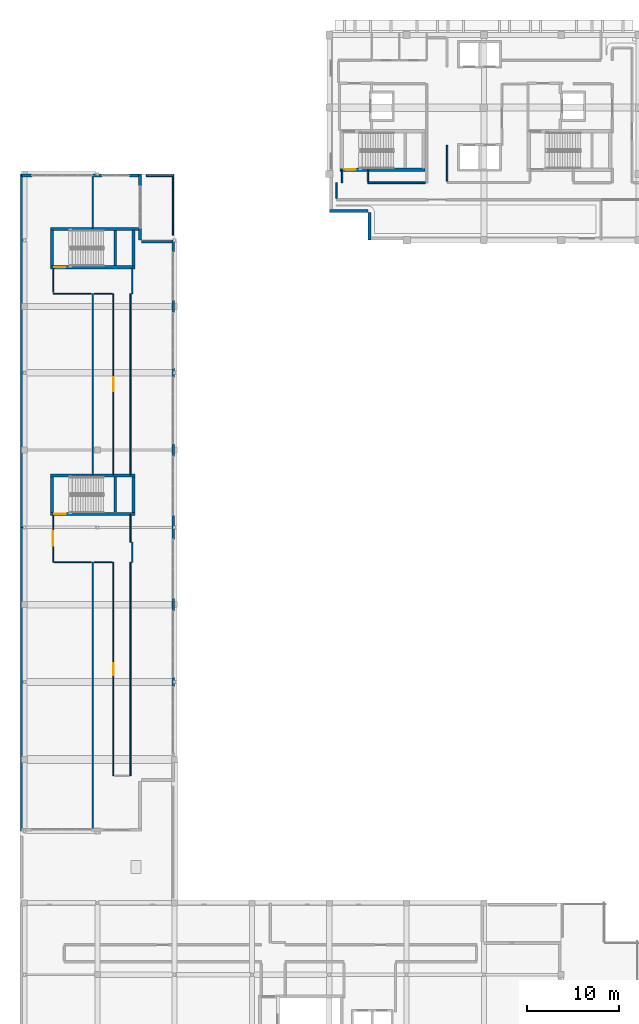
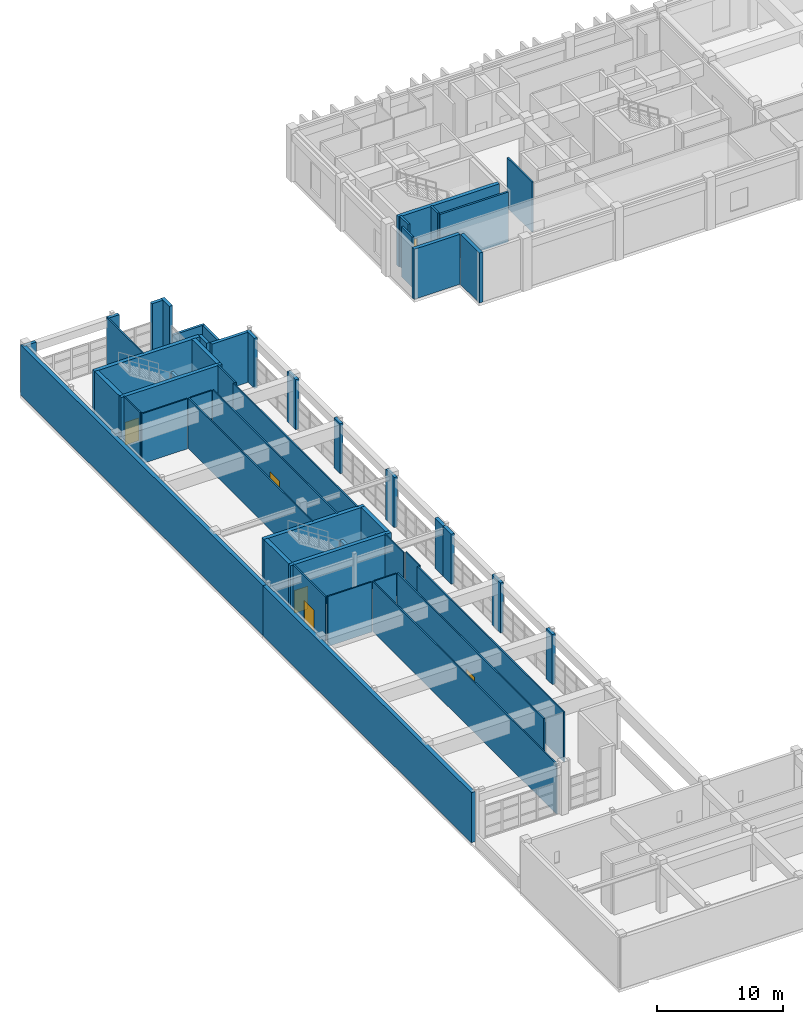
# One storey, part 67 of 78: 52 walls, 6 doors, 6 openings.
"""IFC4 building model written with IfcOpenShell, lengths in metres."""

from ifc_helpers import new_model, si_unit, direction, frame, frame_2d, origin, place, context, subcontext, project, spatial, rectangle, extrude, material, layer, layer_set, type_object, element, fill, save


model = new_model("IFC4")

# Units and contexts
model_context = context("Model", 3, precision=1e-05, world=origin(), true_north=direction((0.0, 1.0)))
body_context = subcontext(model_context, "Body", "Model", "MODEL_VIEW")
ifc_project = project(units=[si_unit("LENGTHUNIT", "METRE"), si_unit("AREAUNIT", "SQUARE_METRE"), si_unit("VOLUMEUNIT", "CUBIC_METRE"), si_unit("PLANEANGLEUNIT", "RADIAN"), si_unit("MASSUNIT", "GRAM", prefix="KILO")], contexts=[model_context])

# Site, building, storey
site_placement = place(None, origin())
site = spatial("IfcSite", under=ifc_project, at=site_placement, CompositionType="ELEMENT")
building_placement = place(site_placement, origin())
building = spatial("IfcBuilding", under=site, at=building_placement, Name="Quendrovan Civic Courthouse", CompositionType="ELEMENT")
storey_placement = place(building_placement, frame((0.0, 0.0, 20.39990234375)))
storey = spatial("IfcBuildingStorey", under=building, at=storey_placement, Name="L05", CompositionType="ELEMENT", Elevation=20.39990234375)

# Wall
ifc_material_1 = material(Name="Fire-rated gypsum stud partition")
ifc_layer_1 = layer(ifc_material_1, 0.159912109375, Name="Fire-rated gypsum stud partition")
ifc_layer_set_1 = layer_set([ifc_layer_1], Name="Fire-rated gypsum stud partition")
wall_type_1 = type_object("IfcWallType", Name="WL-COR-160", PredefinedType="PARTITIONING", material=ifc_layer_set_1)
wall_1_placement = place(storey_placement, frame((46.39990234375, 94.010009765625, 0.0), z_axis=(0.0, 0.0, 1.0), x_axis=(0.0, 1.0, 0.0)))
element("IfcWall", 1, at=wall_1_placement, inside=storey, type_object=wall_type_1, Name="L05 Prosecutor Suite Partition 0706", PredefinedType="PARTITIONING", context=body_context, shape_type="SweptSolid", body=[
    extrude(rectangle(XDim=3.889892578125, YDim=0.159912109375, at=frame_2d((1.94482421875, 0.0))), origin(), (0.0, 0.0, 1.0), 4.840087890625),
])

# Wall, opening, door
ifc_material_2 = material(Name="Concrete C45/55", Category="concrete")
ifc_layer_2 = layer(ifc_material_2, 0.35009765625, Name="Concrete C45/55")
ifc_layer_set_2 = layer_set([ifc_layer_2], Name="Concrete C45/55")
wall_type_2 = type_object("IfcWallType", Name="WL-CORE-350", PredefinedType="SHEAR", material=ifc_layer_set_2)
wall_2_placement = place(storey_placement, frame((34.7900390625, 95.264892578125, 0.0), z_axis=(0.0, 0.0, 1.0), x_axis=(1.0, 0.0, 0.0)))
wall_2 = element("IfcWall", 2, at=wall_2_placement, inside=storey, type_object=wall_type_2, Name="L05 Core Shear Wall ST1-S", PredefinedType="SHEAR", context=body_context, shape_type="SweptSolid", body=[
    extrude(rectangle(XDim=9.219970703125, YDim=0.35009765625, at=frame_2d((4.60986328125, 0.0))), origin(), (0.0, 0.0, 1.0), 4.840087890625),
])
opening_1_placement = place(wall_2_placement, frame((0.449951171875, 0.0, 0.0)))
opening_1 = element("IfcOpeningElement", 3, at=opening_1_placement, cuts=wall_2, Name="Opening DS-ST1-L05", PredefinedType="OPENING", context=body_context, shape_type="SweptSolid", body=[
    extrude(rectangle(XDim=1.25, YDim=2.199951171875, at=frame_2d((0.625, 1.10009765625))), frame((0.0, 0.18505859375, 0.0), z_axis=(0.0, -1.0, 0.0), x_axis=(1.0, 0.0, 0.0)), (0.0, 0.0, 1.0), 0.3701171875),
])
ifc_material_3 = material(Name="Painted galvanized hollow-metal steel", Category="steel")
door_type_1 = type_object("IfcDoorType", Name="DR-STAIR-1250", OperationType="NOTDEFINED", PredefinedType="DOOR", material=ifc_material_3)
door_1_placement = place(opening_1_placement, origin())
door_1 = element("IfcDoor", 4, at=door_1_placement, inside=storey, type_object=door_type_1, Name="L05 Exit Stair ST1 Fire Door", OperationType="SINGLE_SWING_LEFT", OverallHeight=2.199951171875, OverallWidth=1.25, PredefinedType="DOOR", context=body_context, shape_type="SweptSolid", body=[
    extrude(rectangle(XDim=1.25, YDim=2.199951171875, at=frame_2d((0.625, 1.10009765625))), frame((0.0, 0.02490234375, 0.0), z_axis=(0.0, -1.0, 0.0), x_axis=(1.0, 0.0, 0.0)), (0.0, 0.0, 1.0), 0.050048828125),
])
fill(opening_1, door_1)

wall_3_placement = place(storey_placement, frame((3.2900390625, 57.864990234375, 0.0), z_axis=(0.0, 0.0, 1.0), x_axis=(1.0, 0.0, 0.0)))
wall_3 = element("IfcWall", 5, at=wall_3_placement, inside=storey, type_object=wall_type_2, Name="L05 Core Shear Wall ST4-S", PredefinedType="SHEAR", context=body_context, shape_type="SweptSolid", body=[
    extrude(rectangle(XDim=9.219970703125, YDim=0.35009765625, at=frame_2d((4.60986328125, 0.0))), origin(), (0.0, 0.0, 1.0), 4.840087890625),
])
opening_2_placement = place(wall_3_placement, frame((0.449951171875, 0.0, 0.0)))
opening_2 = element("IfcOpeningElement", 6, at=opening_2_placement, cuts=wall_3, Name="Opening DS-ST4-L05", PredefinedType="OPENING", context=body_context, shape_type="SweptSolid", body=[
    extrude(rectangle(XDim=1.25, YDim=2.199951171875, at=frame_2d((0.625, 1.10009765625))), frame((0.0, 0.18505859375, 0.0), z_axis=(0.0, -1.0, 0.0), x_axis=(1.0, 0.0, 0.0)), (0.0, 0.0, 1.0), 0.3701171875),
])
door_2_placement = place(opening_2_placement, origin())
door_2 = element("IfcDoor", 7, at=door_2_placement, inside=storey, type_object=door_type_1, Name="L05 Exit Stair ST4 Fire Door", OperationType="SINGLE_SWING_RIGHT", OverallHeight=2.199951171875, OverallWidth=1.25, PredefinedType="DOOR", context=body_context, shape_type="SweptSolid", body=[
    extrude(rectangle(XDim=1.25, YDim=2.199951171875, at=frame_2d((0.625, 1.10009765625))), frame((0.0, 0.02490234375, 0.0), z_axis=(0.0, -1.0, 0.0), x_axis=(1.0, 0.0, 0.0)), (0.0, 0.0, 1.0), 0.050048828125),
])
fill(opening_2, door_2)

# Walls
wall_4_placement = place(storey_placement, frame((12.510009765625, 62.034912109375, 0.0), z_axis=(0.0, 0.0, 1.0), x_axis=(-1.0, 0.0, 0.0)))
element("IfcWall", 8, at=wall_4_placement, inside=storey, type_object=wall_type_2, Name="L05 Core Shear Wall ST4-N", PredefinedType="SHEAR", context=body_context, shape_type="SweptSolid", body=[
    extrude(rectangle(XDim=9.219970703125, YDim=0.35009765625, at=frame_2d((4.60986328125, 0.0))), origin(), (0.0, 0.0, 1.0), 4.840087890625),
])
for number, where, z_axis, x_axis, name in (
    (9, (3.465087890625, 58.0, 0.0), (0.0, 0.0, 1.0), (0.0, 1.0, 0.0), "L05 Core Shear Wall ST4-W"),
    (10, (12.3349609375, 61.89990234375, 0.0), (0.0, 0.0, 1.0), (0.0, -1.0, 0.0), "L05 Core Shear Wall ST4-E"),
):
    element("IfcWall", number, at=place(storey_placement, frame(where, z_axis=z_axis, x_axis=x_axis)), inside=storey, type_object=wall_type_2, Name=name, PredefinedType="SHEAR", context=body_context, shape_type="SweptSolid", body=[
        extrude(rectangle(XDim=3.89990234375, YDim=0.35009765625, at=frame_2d((1.949951171875, 0.0))), origin(), (0.0, 0.0, 1.0), 4.840087890625),
    ])

# Wall, opening, door
wall_5_placement = place(storey_placement, frame((3.2900390625, 84.6650390625, 0.0), z_axis=(0.0, 0.0, 1.0), x_axis=(1.0, 0.0, 0.0)))
wall_5 = element("IfcWall", 11, at=wall_5_placement, inside=storey, type_object=wall_type_2, Name="L05 Core Shear Wall ST8-S", PredefinedType="SHEAR", context=body_context, shape_type="SweptSolid", body=[
    extrude(rectangle(XDim=9.219970703125, YDim=0.35009765625, at=frame_2d((4.60986328125, 0.0))), origin(), (0.0, 0.0, 1.0), 4.840087890625),
])
opening_3_placement = place(wall_5_placement, frame((0.449951171875, 0.0, 0.0)))
opening_3 = element("IfcOpeningElement", 12, at=opening_3_placement, cuts=wall_5, Name="Opening DS-ST8-L05", PredefinedType="OPENING", context=body_context, shape_type="SweptSolid", body=[
    extrude(rectangle(XDim=1.25, YDim=2.199951171875, at=frame_2d((0.625, 1.10009765625))), frame((0.0, 0.18505859375, 0.0), z_axis=(0.0, -1.0, 0.0), x_axis=(1.0, 0.0, 0.0)), (0.0, 0.0, 1.0), 0.3701171875),
])
door_3_placement = place(opening_3_placement, origin())
door_3 = element("IfcDoor", 13, at=door_3_placement, inside=storey, type_object=door_type_1, Name="L05 Exit Stair ST8 Fire Door", OperationType="SINGLE_SWING_RIGHT", OverallHeight=2.199951171875, OverallWidth=1.25, PredefinedType="DOOR", context=body_context, shape_type="SweptSolid", body=[
    extrude(rectangle(XDim=1.25, YDim=2.199951171875, at=frame_2d((0.625, 1.10009765625))), frame((0.0, 0.02490234375, 0.0), z_axis=(0.0, -1.0, 0.0), x_axis=(1.0, 0.0, 0.0)), (0.0, 0.0, 1.0), 0.050048828125),
])
fill(opening_3, door_3)

# Walls
wall_6_placement = place(storey_placement, frame((12.929931640625, 88.8349609375, 0.0), z_axis=(0.0, 0.0, 1.0), x_axis=(-1.0, 0.0, 0.0)))
element("IfcWall", 14, at=wall_6_placement, inside=storey, type_object=wall_type_2, Name="L05 Core Shear Wall ST8-N", PredefinedType="SHEAR", context=body_context, shape_type="SweptSolid", body=[
    extrude(rectangle(XDim=9.639892578125, YDim=0.35009765625, at=frame_2d((4.81982421875, 0.0))), origin(), (0.0, 0.0, 1.0), 4.840087890625),
])
for number, where, z_axis, x_axis, name in (
    (15, (3.465087890625, 84.800048828125, 0.0), (0.0, 0.0, 1.0), (0.0, 1.0, 0.0), "L05 Core Shear Wall ST8-W"),
    (16, (12.3349609375, 88.699951171875, 0.0), (0.0, 0.0, 1.0), (0.0, -1.0, 0.0), "L05 Core Shear Wall ST8-E"),
):
    element("IfcWall", number, at=place(storey_placement, frame(where, z_axis=z_axis, x_axis=x_axis)), inside=storey, type_object=wall_type_2, Name=name, PredefinedType="SHEAR", context=body_context, shape_type="SweptSolid", body=[
        extrude(rectangle(XDim=3.89990234375, YDim=0.35009765625, at=frame_2d((1.949951171875, 0.0))), origin(), (0.0, 0.0, 1.0), 4.840087890625),
    ])
ifc_material_4 = material(Name="Acoustic gypsum and mineral wool partition")
ifc_layer_3 = layer(ifc_material_4, 0.179931640625, Name="Acoustic gypsum and mineral wool partition")
ifc_layer_set_3 = layer_set([ifc_layer_3], Name="Acoustic gypsum and mineral wool partition")
wall_type_3 = type_object("IfcWallType", Name="WL-CRT-AC180", PredefinedType="PARTITIONING", material=ifc_layer_set_3)
wall_7_placement = place(storey_placement, frame((44.030029296875, 93.85009765625, 0.0), z_axis=(0.0, 0.0, 1.0), x_axis=(-1.0, 0.0, 0.0)))
element("IfcWall", 17, at=wall_7_placement, inside=storey, type_object=wall_type_3, Name="L05 Trial Courtroom Partition 0689", PredefinedType="PARTITIONING", context=body_context, shape_type="SweptSolid", body=[
    extrude(rectangle(XDim=6.22998046875, YDim=0.179931640625, at=frame_2d((3.114990234375, 0.0))), origin(), (0.0, 0.0, 1.0), 4.840087890625),
])
wall_8_placement = place(storey_placement, frame((34.39990234375, 93.85009765625, 0.0), z_axis=(0.0, 0.0, 1.0), x_axis=(0.0, -1.0, 0.0)))
element("IfcWall", 18, at=wall_8_placement, inside=storey, type_object=wall_type_3, Name="L05 Trial Courtroom Partition 0743", PredefinedType="PARTITIONING", context=body_context, shape_type="SweptSolid", body=[
    extrude(rectangle(XDim=1.68017578125, YDim=0.179931640625, at=frame_2d((0.840087890625, 0.0))), origin(), (0.0, 0.0, 1.0), 4.840087890625),
])
wall_9_placement = place(storey_placement, frame((37.800048828125, 94.02001953125, 0.0), z_axis=(0.0, 0.0, 1.0), x_axis=(0.0, 1.0, 0.0)))
element("IfcWall", 19, at=wall_9_placement, inside=storey, type_object=wall_type_3, Name="L05 Trial Courtroom Partition 0748", PredefinedType="PARTITIONING", context=body_context, shape_type="SweptSolid", body=[
    extrude(rectangle(XDim=1.159912109375, YDim=0.179931640625, at=frame_2d((0.580078125, 0.0))), origin(), (0.0, 0.0, 1.0), 4.840087890625),
])
wall_10_placement = place(storey_placement, frame((35.0, 95.179931640625, 0.0), z_axis=(0.0, 0.0, 1.0), x_axis=(0.0, -1.0, 0.0)))
element("IfcWall", 20, at=wall_10_placement, inside=storey, type_object=wall_type_3, Name="L05 Trial Courtroom Partition 0749", PredefinedType="PARTITIONING", context=body_context, shape_type="SweptSolid", body=[
    extrude(rectangle(XDim=1.329833984375, YDim=0.179931640625, at=frame_2d((0.6650390625, 0.0))), origin(), (0.0, 0.0, 1.0), 4.840087890625),
])
ifc_material_5 = material(Name="Precast concrete C45/55", Category="concrete")
ifc_layer_4 = layer(ifc_material_5, 0.2900390625, Name="Precast concrete C45/55")
ifc_layer_set_4 = layer_set([ifc_layer_4], Name="Precast concrete C45/55")
wall_type_4 = type_object("IfcWallType", Name="WL-EXT-PC290", PredefinedType="SOLIDWALL", material=ifc_layer_set_4)
wall_11_placement = place(storey_placement, frame((13.034912109375, 94.800048828125, 0.0), z_axis=(0.0, 0.0, 1.0), x_axis=(0.0, -1.0, 0.0)))
element("IfcWall", 21, at=wall_11_placement, inside=storey, type_object=wall_type_4, Name="L05 Exterior Pier Wall 417", PredefinedType="SOLIDWALL", context=body_context, shape_type="SweptSolid", body=[
    extrude(rectangle(XDim=1.300048828125, YDim=0.2900390625, at=frame_2d((0.64990234375, 0.0))), origin(), (0.0, 0.0, 1.0), 4.840087890625),
])
wall_12_placement = place(storey_placement, frame((13.034912109375, 88.89990234375, 0.0), z_axis=(0.0, 0.0, 1.0), x_axis=(0.0, -1.0, 0.0)))
element("IfcWall", 22, at=wall_12_placement, inside=storey, type_object=wall_type_4, Name="L05 Exterior Pier Wall 418", PredefinedType="SOLIDWALL", context=body_context, shape_type="SweptSolid", body=[
    extrude(rectangle(XDim=1.2998046875, YDim=0.2900390625, at=frame_2d((0.64990234375, 0.0))), origin(), (0.0, 0.0, 1.0), 4.840087890625),
])
wall_13_placement = place(storey_placement, frame((13.199951171875, 87.43505859375, 0.0), z_axis=(0.0, 0.0, 1.0), x_axis=(1.0, 0.0, 0.0)))
element("IfcWall", 23, at=wall_13_placement, inside=storey, type_object=wall_type_4, Name="L05 Exterior Civic Portal Wall 419", PredefinedType="SOLIDWALL", context=body_context, shape_type="SweptSolid", body=[
    extrude(rectangle(XDim=3.60009765625, YDim=0.2900390625, at=frame_2d((1.800048828125, 0.0))), origin(), (0.0, 0.0, 1.0), 4.840087890625),
])
wall_14_placement = place(storey_placement, frame((16.635009765625, 87.60009765625, 0.0), z_axis=(0.0, 0.0, 1.0), x_axis=(0.0, -1.0, 0.0)))
element("IfcWall", 24, at=wall_14_placement, inside=storey, type_object=wall_type_4, Name="L05 Exterior Pier Wall 420", PredefinedType="SOLIDWALL", context=body_context, shape_type="SweptSolid", body=[
    extrude(rectangle(XDim=1.300048828125, YDim=0.2900390625, at=frame_2d((0.64990234375, 0.0))), origin(), (0.0, 0.0, 1.0), 4.840087890625),
])
wall_15_placement = place(storey_placement, frame((16.635009765625, 81.074951171875, 0.0), z_axis=(0.0, 0.0, 1.0), x_axis=(0.0, -1.0, 0.0)))
element("IfcWall", 25, at=wall_15_placement, inside=storey, type_object=wall_type_4, Name="L05 Exterior Pier Wall 421", PredefinedType="SOLIDWALL", context=body_context, shape_type="SweptSolid", body=[
    extrude(rectangle(XDim=1.349853515625, YDim=0.2900390625, at=frame_2d((0.6748046875, 0.0))), origin(), (0.0, 0.0, 1.0), 4.840087890625),
])
wall_16_placement = place(storey_placement, frame((16.635009765625, 73.699951171875, 0.0), z_axis=(0.0, 0.0, 1.0), x_axis=(0.0, -1.0, 0.0)))
element("IfcWall", 26, at=wall_16_placement, inside=storey, type_object=wall_type_4, Name="L05 Exterior Pier Wall 422", PredefinedType="SOLIDWALL", context=body_context, shape_type="SweptSolid", body=[
    extrude(rectangle(XDim=1.0, YDim=0.2900390625, at=frame_2d((0.5, 0.0))), origin(), (0.0, 0.0, 1.0), 4.840087890625),
])
wall_17_placement = place(storey_placement, frame((16.635009765625, 65.47509765625, 0.0), z_axis=(0.0, 0.0, 1.0), x_axis=(0.0, -1.0, 0.0)))
element("IfcWall", 27, at=wall_17_placement, inside=storey, type_object=wall_type_4, Name="L05 Exterior Pier Wall 423", PredefinedType="SOLIDWALL", context=body_context, shape_type="SweptSolid", body=[
    extrude(rectangle(XDim=1.35009765625, YDim=0.2900390625, at=frame_2d((0.675048828125, 0.0))), origin(), (0.0, 0.0, 1.0), 4.840087890625),
])
wall_18_placement = place(storey_placement, frame((16.635009765625, 57.699951171875, 0.0), z_axis=(0.0, 0.0, 1.0), x_axis=(0.0, -1.0, 0.0)))
element("IfcWall", 28, at=wall_18_placement, inside=storey, type_object=wall_type_4, Name="L05 Exterior Pier Wall 424", PredefinedType="SOLIDWALL", context=body_context, shape_type="SweptSolid", body=[
    extrude(rectangle(XDim=1.300048828125, YDim=0.2900390625, at=frame_2d((0.64990234375, 0.0))), origin(), (0.0, 0.0, 1.0), 4.840087890625),
])
wall_19_placement = place(storey_placement, frame((16.635009765625, 56.39990234375, 0.0), z_axis=(0.0, 0.0, 1.0), x_axis=(0.0, -1.0, 0.0)))
element("IfcWall", 29, at=wall_19_placement, inside=storey, type_object=wall_type_4, Name="L05 Exterior Pier Wall 425", PredefinedType="SOLIDWALL", context=body_context, shape_type="SweptSolid", body=[
    extrude(rectangle(XDim=1.2998046875, YDim=0.2900390625, at=frame_2d((0.64990234375, 0.0))), origin(), (0.0, 0.0, 1.0), 4.840087890625),
])
wall_20_placement = place(storey_placement, frame((16.635009765625, 48.675048828125, 0.0), z_axis=(0.0, 0.0, 1.0), x_axis=(0.0, -1.0, 0.0)))
element("IfcWall", 30, at=wall_20_placement, inside=storey, type_object=wall_type_4, Name="L05 Exterior Pier Wall 426", PredefinedType="SOLIDWALL", context=body_context, shape_type="SweptSolid", body=[
    extrude(rectangle(XDim=1.35009765625, YDim=0.2900390625, at=frame_2d((0.675048828125, 0.0))), origin(), (0.0, 0.0, 1.0), 4.840087890625),
])
wall_21_placement = place(storey_placement, frame((16.635009765625, 40.10009765625, 0.0), z_axis=(0.0, 0.0, 1.0), x_axis=(0.0, -1.0, 0.0)))
element("IfcWall", 31, at=wall_21_placement, inside=storey, type_object=wall_type_4, Name="L05 Exterior Pier Wall 427", PredefinedType="SOLIDWALL", context=body_context, shape_type="SweptSolid", body=[
    extrude(rectangle(XDim=1.0, YDim=0.2900390625, at=frame_2d((0.5, 0.0))), origin(), (0.0, 0.0, 1.0), 4.840087890625),
])
wall_22_placement = place(storey_placement, frame((0.175048828125, 94.635009765625, 0.0), z_axis=(0.0, 0.0, 1.0), x_axis=(1.0, 0.0, 0.0)))
element("IfcWall", 32, at=wall_22_placement, inside=storey, type_object=wall_type_4, Name="L05 Exterior Pier Wall 436", PredefinedType="SOLIDWALL", context=body_context, shape_type="SweptSolid", body=[
    extrude(rectangle(XDim=1.125, YDim=0.2900390625, at=frame_2d((0.5625, 0.0))), origin(), (0.0, 0.0, 1.0), 4.840087890625),
])
wall_23_placement = place(storey_placement, frame((7.89990234375, 94.635009765625, 0.0), z_axis=(0.0, 0.0, 1.0), x_axis=(1.0, 0.0, 0.0)))
element("IfcWall", 33, at=wall_23_placement, inside=storey, type_object=wall_type_4, Name="L05 Exterior Pier Wall 437", PredefinedType="SOLIDWALL", context=body_context, shape_type="SweptSolid", body=[
    extrude(rectangle(XDim=1.0, YDim=0.2900390625, at=frame_2d((0.5, 0.0))), origin(), (0.0, 0.0, 1.0), 4.840087890625),
])
wall_24_placement = place(storey_placement, frame((11.89990234375, 94.635009765625, 0.0), z_axis=(0.0, 0.0, 1.0), x_axis=(1.0, 0.0, 0.0)))
element("IfcWall", 34, at=wall_24_placement, inside=storey, type_object=wall_type_4, Name="L05 Exterior Pier Wall 438", PredefinedType="SOLIDWALL", context=body_context, shape_type="SweptSolid", body=[
    extrude(rectangle(XDim=1.300048828125, YDim=0.2900390625, at=frame_2d((0.64990234375, 0.0))), origin(), (0.0, 0.0, 1.0), 4.840087890625),
])
ifc_layer_5 = layer(ifc_material_5, 0.320068359375, Name="Precast concrete C45/55")
ifc_layer_set_5 = layer_set([ifc_layer_5], Name="Precast concrete C45/55")
wall_type_5 = type_object("IfcWallType", Name="WL-EXT-PC320", PredefinedType="SOLIDWALL", material=ifc_layer_set_5)
wall_25_placement = place(storey_placement, frame((37.97998046875, 87.60009765625, 0.0), z_axis=(0.0, 0.0, 1.0), x_axis=(0.0, 1.0, 0.0)))
element("IfcWall", 35, at=wall_25_placement, inside=storey, type_object=wall_type_5, Name="L05 Exterior Precast Concrete Wall 444", PredefinedType="SOLIDWALL", context=body_context, shape_type="SweptSolid", body=[
    extrude(rectangle(XDim=3.0, YDim=0.320068359375, at=frame_2d((1.5, 0.0))), origin(), (0.0, 0.0, 1.0), 4.840087890625),
])
wall_26_placement = place(storey_placement, frame((37.800048828125, 90.780029296875, 0.0), z_axis=(0.0, 0.0, 1.0), x_axis=(-1.0, 0.0, 0.0)))
element("IfcWall", 36, at=wall_26_placement, inside=storey, type_object=wall_type_5, Name="L05 Exterior Precast Concrete Wall 445", PredefinedType="SOLIDWALL", context=body_context, shape_type="SweptSolid", body=[
    extrude(rectangle(XDim=4.199951171875, YDim=0.320068359375, at=frame_2d((2.10009765625, 0.0))), origin(), (0.0, 0.0, 1.0), 4.840087890625),
])
ifc_material_6 = material(Name="Acoustic glazed-head stud partition")
ifc_layer_6 = layer(ifc_material_6, 0.1201171875, Name="Acoustic glazed-head stud partition")
ifc_layer_set_6 = layer_set([ifc_layer_6], Name="Acoustic glazed-head stud partition")
wall_type_6 = type_object("IfcWallType", Name="WL-LIB-120", PredefinedType="PARTITIONING", material=ifc_layer_set_6)
wall_27_placement = place(storey_placement, frame((7.89990234375, 52.60009765625, 0.0), z_axis=(0.0, 0.0, 1.0), x_axis=(0.0, -1.0, 0.0)))
element("IfcWall", 37, at=wall_27_placement, inside=storey, type_object=wall_type_6, Name="L05 Law Library Open Book Stacks 1 Partition 0660", PredefinedType="PARTITIONING", context=body_context, shape_type="SweptSolid", body=[
    extrude(rectangle(XDim=29.14013671875, YDim=0.1201171875, at=frame_2d((14.570068359375, 0.0))), origin(), (0.0, 0.0, 1.0), 4.840087890625),
])

# Wall, opening, door
wall_28_placement = place(storey_placement, frame((10.14990234375, 52.60009765625, 0.0), z_axis=(0.0, 0.0, 1.0), x_axis=(0.0, -1.0, 0.0)))
wall_28 = element("IfcWall", 38, at=wall_28_placement, inside=storey, type_object=wall_type_6, Name="L05 Rare Legal Archive Partition 0662", PredefinedType="PARTITIONING", context=body_context, shape_type="SweptSolid", body=[
    extrude(rectangle(XDim=23.2001953125, YDim=0.1201171875, at=frame_2d((11.60009765625, 0.0))), origin(), (0.0, 0.0, 1.0), 4.840087890625),
])
opening_4_placement = place(wall_28_placement, frame((10.93994140625, 0.0, 0.0)))
opening_4 = element("IfcOpeningElement", 39, at=opening_4_placement, cuts=wall_28, Name="Opening D-L05-093", PredefinedType="OPENING", context=body_context, shape_type="SweptSolid", body=[
    extrude(rectangle(XDim=1.320068359375, YDim=2.239990234375, at=frame_2d((0.66015625, 1.1201171875))), frame((0.0, 0.070068359375, 0.0), z_axis=(0.0, -1.0, 0.0), x_axis=(1.0, 0.0, 0.0)), (0.0, 0.0, 1.0), 0.14013671875),
])
ifc_material_7 = material(Name="Painted fire-rated steel archive door", Category="steel")
door_type_2 = type_object("IfcDoorType", Name="DR-ARC-1320", OperationType="NOTDEFINED", PredefinedType="DOOR", material=ifc_material_7)
door_4_placement = place(opening_4_placement, origin())
door_4 = element("IfcDoor", 40, at=door_4_placement, inside=storey, type_object=door_type_2, Name="L05 Rare Legal Archive Door D-L05-093", OperationType="SINGLE_SWING_RIGHT", OverallHeight=2.239990234375, OverallWidth=1.320068359375, PredefinedType="DOOR", context=body_context, shape_type="SweptSolid", body=[
    extrude(rectangle(XDim=1.320068359375, YDim=2.239990234375, at=frame_2d((0.66015625, 1.1201171875))), frame((0.0, 0.02490234375, 0.0), z_axis=(0.0, -1.0, 0.0), x_axis=(1.0, 0.0, 0.0)), (0.0, 0.0, 1.0), 0.050048828125),
])
fill(opening_4, door_4)

# Walls
wall_29_placement = place(storey_placement, frame((12.0, 29.39990234375, 0.0), z_axis=(0.0, 0.0, 1.0), x_axis=(0.0, 1.0, 0.0)))
element("IfcWall", 41, at=wall_29_placement, inside=storey, type_object=wall_type_6, Name="L05 Rare Legal Archive Partition 0663", PredefinedType="PARTITIONING", context=body_context, shape_type="SweptSolid", body=[
    extrude(rectangle(XDim=23.2001953125, YDim=0.1201171875, at=frame_2d((11.60009765625, 0.0))), origin(), (0.0, 0.0, 1.0), 4.840087890625),
])
for number, where, z_axis, x_axis, name in (
    (42, (7.89990234375, 81.800048828125, 0.0), (0.0, 0.0, 1.0), (0.0, -1.0, 0.0), "L05 Law Library Open Book Stacks 1 Partition 0667"),
    (43, (12.0, 62.1201171875, 0.0), (0.0, 0.0, 1.0), (0.0, 1.0, 0.0), "L05 Rare Legal Archive Partition 0668"),
):
    element("IfcWall", number, at=place(storey_placement, frame(where, z_axis=z_axis, x_axis=x_axis)), inside=storey, type_object=wall_type_6, Name=name, PredefinedType="PARTITIONING", context=body_context, shape_type="SweptSolid", body=[
        extrude(rectangle(XDim=19.679931640625, YDim=0.1201171875, at=frame_2d((9.83984375, 0.0))), origin(), (0.0, 0.0, 1.0), 4.840087890625),
    ])

# Wall, opening, door
wall_30_placement = place(storey_placement, frame((10.14990234375, 81.800048828125, 0.0), z_axis=(0.0, 0.0, 1.0), x_axis=(0.0, -1.0, 0.0)))
wall_30 = element("IfcWall", 44, at=wall_30_placement, inside=storey, type_object=wall_type_6, Name="L05 Law Library Open Book Stacks 2 Partition 0669", PredefinedType="PARTITIONING", context=body_context, shape_type="SweptSolid", body=[
    extrude(rectangle(XDim=19.679931640625, YDim=0.1201171875, at=frame_2d((9.83984375, 0.0))), origin(), (0.0, 0.0, 1.0), 4.840087890625),
])
opening_5_placement = place(wall_30_placement, frame((9.06005859375, 0.0, 0.0)))
opening_5 = element("IfcOpeningElement", 45, at=opening_5_placement, cuts=wall_30, Name="Opening D-L05-094", PredefinedType="OPENING", context=body_context, shape_type="SweptSolid", body=[
    extrude(rectangle(XDim=1.56005859375, YDim=2.43994140625, at=frame_2d((0.780029296875, 1.219970703125))), frame((0.0, 0.070068359375, 0.0), z_axis=(0.0, -1.0, 0.0), x_axis=(1.0, 0.0, 0.0)), (0.0, 0.0, 1.0), 0.14013671875),
])
ifc_material_8 = material(Name="Bronze-anodised aluminium acoustic glass door", Category="aluminium")
door_type_3 = type_object("IfcDoorType", Name="DR-LIB-1560", OperationType="NOTDEFINED", PredefinedType="DOOR", material=ifc_material_8)
door_5_placement = place(opening_5_placement, origin())
door_5 = element("IfcDoor", 46, at=door_5_placement, inside=storey, type_object=door_type_3, Name="L05 Law Library Open Book Stacks 2 Door D-L05-094", OperationType="SINGLE_SWING_LEFT", OverallHeight=2.43994140625, OverallWidth=1.56005859375, PredefinedType="DOOR", context=body_context, shape_type="SweptSolid", body=[
    extrude(rectangle(XDim=1.56005859375, YDim=2.43994140625, at=frame_2d((0.780029296875, 1.219970703125))), frame((0.0, 0.02490234375, 0.0), z_axis=(0.0, -1.0, 0.0), x_axis=(1.0, 0.0, 0.0)), (0.0, 0.0, 1.0), 0.050048828125),
])
fill(opening_5, door_5)

# Wall
wall_31_placement = place(storey_placement, frame((7.89990234375, 94.739990234375, 0.0), z_axis=(0.0, 0.0, 1.0), x_axis=(0.0, -1.0, 0.0)))
element("IfcWall", 47, at=wall_31_placement, inside=storey, type_object=wall_type_6, Name="L05 Law Library Open Book Stacks 1 Partition 0693", PredefinedType="PARTITIONING", context=body_context, shape_type="SweptSolid", body=[
    extrude(rectangle(XDim=5.820068359375, YDim=0.1201171875, at=frame_2d((2.91015625, 0.0))), origin(), (0.0, 0.0, 1.0), 4.840087890625),
])

# Wall, opening, door
wall_32_placement = place(storey_placement, frame((3.60009765625, 57.780029296875, 0.0), z_axis=(0.0, 0.0, 1.0), x_axis=(0.0, -1.0, 0.0)))
wall_32 = element("IfcWall", 48, at=wall_32_placement, inside=storey, type_object=wall_type_6, Name="L05 Law Library Open Book Stacks 1 Partition 0696", PredefinedType="PARTITIONING", context=body_context, shape_type="SweptSolid", body=[
    extrude(rectangle(XDim=5.179931640625, YDim=0.1201171875, at=frame_2d((2.58984375, 0.0))), origin(), (0.0, 0.0, 1.0), 4.840087890625),
])
opening_6_placement = place(wall_32_placement, frame((1.81005859375, 0.0, 0.0)))
opening_6 = element("IfcOpeningElement", 49, at=opening_6_placement, cuts=wall_32, Name="Opening D-L05-092", PredefinedType="OPENING", context=body_context, shape_type="SweptSolid", body=[
    extrude(rectangle(XDim=1.56005859375, YDim=2.43994140625, at=frame_2d((0.780029296875, 1.219970703125))), frame((0.0, 0.070068359375, 0.0), z_axis=(0.0, -1.0, 0.0), x_axis=(1.0, 0.0, 0.0)), (0.0, 0.0, 1.0), 0.14013671875),
])
door_6_placement = place(opening_6_placement, origin())
door_6 = element("IfcDoor", 50, at=door_6_placement, inside=storey, type_object=door_type_3, Name="L05 Law Library Open Book Stacks 1 Door D-L05-092", OperationType="SINGLE_SWING_LEFT", OverallHeight=2.43994140625, OverallWidth=1.56005859375, PredefinedType="DOOR", context=body_context, shape_type="SweptSolid", body=[
    extrude(rectangle(XDim=1.56005859375, YDim=2.43994140625, at=frame_2d((0.780029296875, 1.219970703125))), frame((0.0, 0.02490234375, 0.0), z_axis=(0.0, -1.0, 0.0), x_axis=(1.0, 0.0, 0.0)), (0.0, 0.0, 1.0), 0.050048828125),
])
fill(opening_6, door_6)

# Walls
wall_33_placement = place(storey_placement, frame((3.60009765625, 81.800048828125, 0.0), z_axis=(0.0, 0.0, 1.0), x_axis=(1.0, 0.0, 0.0)))
element("IfcWall", 51, at=wall_33_placement, inside=storey, type_object=wall_type_6, Name="L05 Law Library Open Book Stacks 1 Partition 0701", PredefinedType="PARTITIONING", context=body_context, shape_type="SweptSolid", body=[
    extrude(rectangle(XDim=4.159912109375, YDim=0.1201171875, at=frame_2d((2.080078125, 0.0))), origin(), (0.0, 0.0, 1.0), 4.840087890625),
])
wall_34_placement = place(storey_placement, frame((3.739990234375, 52.60009765625, 0.0), z_axis=(0.0, 0.0, 1.0), x_axis=(1.0, 0.0, 0.0)))
element("IfcWall", 52, at=wall_34_placement, inside=storey, type_object=wall_type_6, Name="L05 Law Library Open Book Stacks 1 Partition 0702", PredefinedType="PARTITIONING", context=body_context, shape_type="SweptSolid", body=[
    extrude(rectangle(XDim=4.02001953125, YDim=0.1201171875, at=frame_2d((2.010009765625, 0.0))), origin(), (0.0, 0.0, 1.0), 4.840087890625),
])
wall_35_placement = place(storey_placement, frame((12.0, 54.800048828125, 0.0), z_axis=(0.0, 0.0, 1.0), x_axis=(0.0, 1.0, 0.0)))
element("IfcWall", 53, at=wall_35_placement, inside=storey, type_object=wall_type_6, Name="L05 Rare Legal Archive Partition 0721", PredefinedType="PARTITIONING", context=body_context, shape_type="SweptSolid", body=[
    extrude(rectangle(XDim=2.97998046875, YDim=0.1201171875, at=frame_2d((1.489990234375, 0.0))), origin(), (0.0, 0.0, 1.0), 4.840087890625),
])
wall_36_placement = place(storey_placement, frame((3.60009765625, 84.580078125, 0.0), z_axis=(0.0, 0.0, 1.0), x_axis=(0.0, -1.0, 0.0)))
element("IfcWall", 54, at=wall_36_placement, inside=storey, type_object=wall_type_6, Name="L05 Law Library Open Book Stacks 1 Partition 0726", PredefinedType="PARTITIONING", context=body_context, shape_type="SweptSolid", body=[
    extrude(rectangle(XDim=2.64013671875, YDim=0.1201171875, at=frame_2d((1.320068359375, 0.0))), origin(), (0.0, 0.0, 1.0), 4.840087890625),
])
wall_37_placement = place(storey_placement, frame((12.199951171875, 81.800048828125, 0.0), z_axis=(0.0, 0.0, 1.0), x_axis=(0.0, 1.0, 0.0)))
element("IfcWall", 55, at=wall_37_placement, inside=storey, type_object=wall_type_6, Name="L05 Rare Legal Archive Partition 0727", PredefinedType="PARTITIONING", context=body_context, shape_type="SweptSolid", body=[
    extrude(rectangle(XDim=2.780029296875, YDim=0.1201171875, at=frame_2d((1.39013671875, 0.0))), origin(), (0.0, 0.0, 1.0), 4.840087890625),
])
for number, where, z_axis, x_axis, name in (
    (56, (8.0400390625, 52.60009765625, 0.0), (0.0, 0.0, 1.0), (1.0, 0.0, 0.0), "L05 Rare Legal Archive Partition 0731"),
    (57, (8.0400390625, 81.800048828125, 0.0), (0.0, 0.0, 1.0), (1.0, 0.0, 0.0), "L05 Law Library Open Book Stacks 2 Partition 0732"),
):
    element("IfcWall", number, at=place(storey_placement, frame(where, z_axis=z_axis, x_axis=x_axis)), inside=storey, type_object=wall_type_6, Name=name, PredefinedType="PARTITIONING", context=body_context, shape_type="SweptSolid", body=[
        extrude(rectangle(XDim=1.969970703125, YDim=0.1201171875, at=frame_2d((0.98486328125, 0.0))), origin(), (0.0, 0.0, 1.0), 4.840087890625),
    ])
wall_38_placement = place(storey_placement, frame((12.199951171875, 52.60009765625, 0.0), z_axis=(0.0, 0.0, 1.0), x_axis=(0.0, 1.0, 0.0)))
element("IfcWall", 58, at=wall_38_placement, inside=storey, type_object=wall_type_6, Name="L05 Rare Legal Archive Partition 0735", PredefinedType="PARTITIONING", context=body_context, shape_type="SweptSolid", body=[
    extrude(rectangle(XDim=2.199951171875, YDim=0.1201171875, at=frame_2d((1.10009765625, 0.0))), origin(), (0.0, 0.0, 1.0), 4.840087890625),
])
ifc_layer_7 = layer(ifc_material_5, 0.2099609375, Name="Precast concrete C45/55")
ifc_layer_set_7 = layer_set([ifc_layer_7], Name="Precast concrete C45/55")
wall_type_7 = type_object("IfcWallType", Name="WL-PARAPET-210", PredefinedType="PARAPET", material=ifc_layer_set_7)
wall_39_placement = place(storey_placement, frame((16.6201171875, 94.679931640625, 0.0), z_axis=(0.0, 0.0, 1.0), x_axis=(0.0, -1.0, 0.0)))
element("IfcWall", 59, at=wall_39_placement, inside=storey, type_object=wall_type_7, Name="L05 Precast Roof Parapet Wall 50", PredefinedType="PARAPET", context=body_context, shape_type="SweptSolid", body=[
    extrude(rectangle(XDim=6.5400390625, YDim=0.2099609375, at=frame_2d((3.27001953125, 0.0))), origin(), (0.0, 0.0, 1.0), 1.1201171875),
])
wall_40_placement = place(storey_placement, frame((13.739990234375, 94.6201171875, 0.0), z_axis=(0.0, 0.0, 1.0), x_axis=(1.0, 0.0, 0.0)))
element("IfcWall", 60, at=wall_40_placement, inside=storey, type_object=wall_type_7, Name="L05 Precast Roof Parapet Wall 51", PredefinedType="PARAPET", context=body_context, shape_type="SweptSolid", body=[
    extrude(rectangle(XDim=2.93994140625, YDim=0.2099609375, at=frame_2d((1.469970703125, 0.0))), origin(), (0.0, 0.0, 1.0), 1.1201171875),
])
ifc_material_9 = material(Name="Concrete C40/50", Category="concrete")
ifc_layer_8 = layer(ifc_material_9, 0.360107421875, Name="Concrete C40/50")
ifc_layer_set_8 = layer_set([ifc_layer_8], Name="Concrete C40/50")
wall_type_8 = type_object("IfcWallType", Name="WL-PARTY-360", PredefinedType="SOLIDWALL", material=ifc_layer_set_8)
wall_41_placement = place(storey_placement, frame((0.2099609375, 23.39990234375, 0.0), z_axis=(0.0, 0.0, 1.0), x_axis=(0.0, 1.0, 0.0)))
element("IfcWall", 61, at=wall_41_placement, inside=storey, type_object=wall_type_8, Name="L05 Fire-Rated Boundary Party Wall 434", PredefinedType="SOLIDWALL", context=body_context, shape_type="SweptSolid", body=[
    extrude(rectangle(XDim=33.0, YDim=0.360107421875, at=frame_2d((16.5, 0.0))), origin(), (0.0, 0.0, 1.0), 4.840087890625),
])
wall_42_placement = place(storey_placement, frame((0.2099609375, 56.39990234375, 0.0), z_axis=(0.0, 0.0, 1.0), x_axis=(0.0, 1.0, 0.0)))
element("IfcWall", 62, at=wall_42_placement, inside=storey, type_object=wall_type_8, Name="L05 Fire-Rated Boundary Party Wall 435", PredefinedType="SOLIDWALL", context=body_context, shape_type="SweptSolid", body=[
    extrude(rectangle(XDim=38.400146484375, YDim=0.360107421875, at=frame_2d((19.2001953125, 0.0))), origin(), (0.0, 0.0, 1.0), 4.840087890625),
])
ifc_layer_9 = layer(ifc_material_2, 0.25, Name="Concrete C45/55")
ifc_layer_set_9 = layer_set([ifc_layer_9], Name="Concrete C45/55")
wall_type_9 = type_object("IfcWallType", Name="WL-SHAFT-250", PredefinedType="SHEAR", material=ifc_layer_set_9)
wall_43_placement = place(storey_placement, frame((10.35009765625, 58.050048828125, 0.0), z_axis=(0.0, 0.0, 1.0), x_axis=(0.0, 1.0, 0.0)))
element("IfcWall", 63, at=wall_43_placement, inside=storey, type_object=wall_type_9, Name="L05 Stair ST4 Mid-Landing Bearing Wall", PredefinedType="SHEAR", context=body_context, shape_type="SweptSolid", body=[
    extrude(rectangle(XDim=3.800048828125, YDim=0.25, at=frame_2d((1.89990234375, 0.0))), origin(), (0.0, 0.0, 1.0), 2.3701171875),
])
wall_44_placement = place(storey_placement, frame((10.35009765625, 84.85009765625, 0.0), z_axis=(0.0, 0.0, 1.0), x_axis=(0.0, 1.0, 0.0)))
element("IfcWall", 64, at=wall_44_placement, inside=storey, type_object=wall_type_9, Name="L05 Stair ST8 Mid-Landing Bearing Wall", PredefinedType="SHEAR", context=body_context, shape_type="SweptSolid", body=[
    extrude(rectangle(XDim=3.7998046875, YDim=0.25, at=frame_2d((1.89990234375, 0.0))), origin(), (0.0, 0.0, 1.0), 2.3701171875),
])

save(model, "model.ifc")
